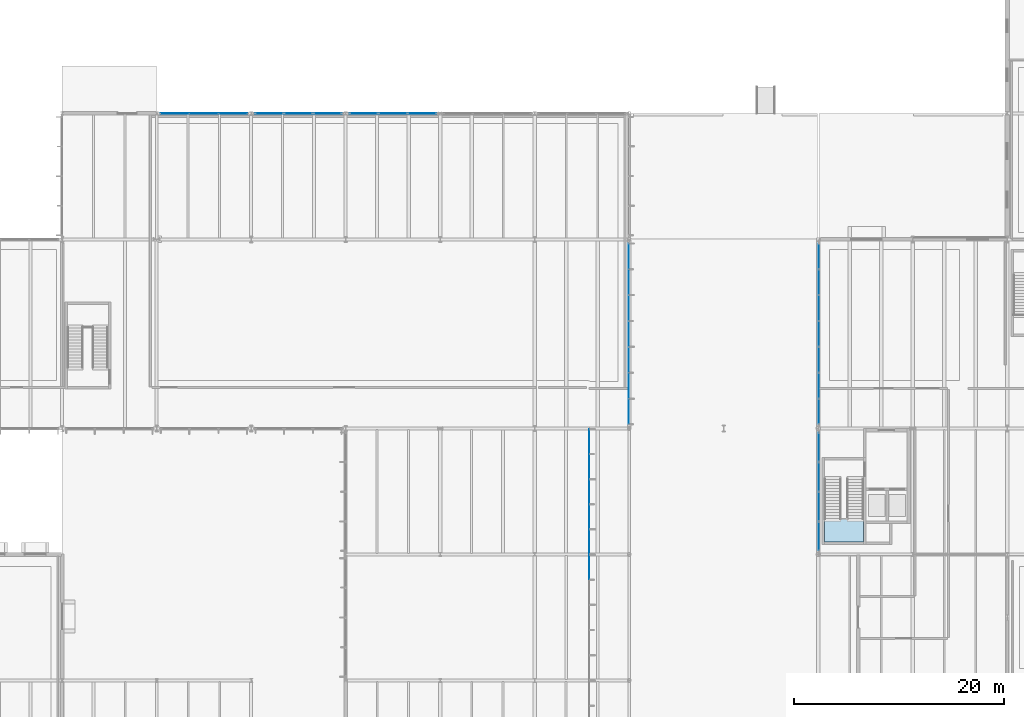
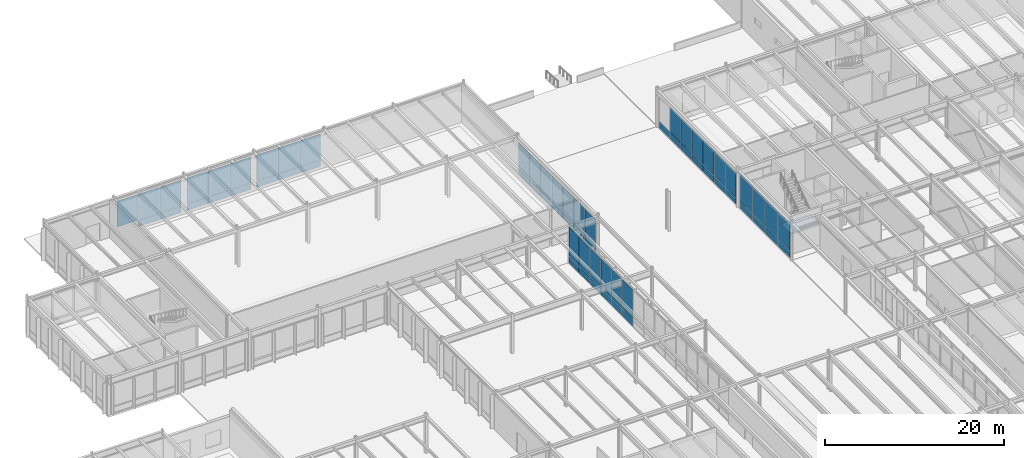
# One storey, part 108 of 143: 64 plates, 1 slab, 9 elements without a shape of their own.
"""IFC4 building model written with IfcOpenShell, lengths in metres."""

from ifc_helpers import new_model, si_unit, direction, frame, origin, origin_2d, place, context, subcontext, project, spatial, polyline, rectangle, outline, extrude, material, layer, layer_set, type_object, element, aggregate, save


model = new_model("IFC4")

# Units and contexts
model_context = context("Model", 3, precision=1e-05, world=origin(), true_north=direction((0.0, 1.0)))
body_context = subcontext(model_context, "Body", "Model", "MODEL_VIEW")
ifc_project = project(units=[si_unit("LENGTHUNIT", "METRE"), si_unit("AREAUNIT", "SQUARE_METRE"), si_unit("VOLUMEUNIT", "CUBIC_METRE"), si_unit("PLANEANGLEUNIT", "RADIAN"), si_unit("MASSUNIT", "GRAM", prefix="KILO")], contexts=[model_context])

# Site, building, storey
site_placement = place(None, origin())
site = spatial("IfcSite", under=ifc_project, at=site_placement, CompositionType="ELEMENT")
building_placement = place(site_placement, origin())
building = spatial("IfcBuilding", under=site, at=building_placement, Name="Montelvaro Courts of Justice", CompositionType="ELEMENT")
storey_placement = place(building_placement, origin())
storey = spatial("IfcBuildingStorey", under=building, at=storey_placement, Name="L00", CompositionType="ELEMENT", Elevation=0.0)

# Curtain wall, plates
ifc_material_1 = material(Name="Anodised aluminium EN AW-6063", Category="aluminium")
ifc_layer_1 = layer(ifc_material_1, 0.159912109375)
ifc_layer_set_1 = layer_set([ifc_layer_1], Name="Anodised aluminium EN AW-6063")
curtain_wall_type_1 = type_object("IfcCurtainWallType", Name="CurtainWall_02_1727x508", PredefinedType="USERDEFINED", material=ifc_layer_set_1)
curtain_wall_1_placement = place(storey_placement, origin())
curtain_wall_1 = element("IfcCurtainWall", 1, at=curtain_wall_1_placement, inside=storey, type_object=curtain_wall_type_1, Name="Curtain Wall CW-02 (L00)", ObjectType="CURTAIN WALL", PredefinedType="USERDEFINED")
ifc_material_2 = material(Name="Low-E solar control double glazing", Category="glass")
ifc_layer_2 = layer(ifc_material_2, 0.028076171875)
ifc_layer_set_2 = layer_set([ifc_layer_2], Name="Low-E solar control double glazing")
plate_type = type_object("IfcPlateType", Name="CurtainWall_Glazed_Panel_28", PredefinedType="CURTAIN_PANEL", material=ifc_layer_set_2)
plate_1_placement = place(storey_placement, frame((80.949951171875, 79.613525390625, 0.06005859375), z_axis=(0.0, 0.0, 1.0), x_axis=(0.0, 1.0, 0.0)))
plate_1 = element("IfcPlate", 2, at=plate_1_placement, type_object=plate_type, Name="CW-02 panel 1.1", PredefinedType="CURTAIN_PANEL", context=body_context, shape_type="SweptSolid", body=[
    extrude(rectangle(XDim=2.377197265625, YDim=0.028076171875, at=origin_2d()), origin(), (0.0, 0.0, 1.0), 0.860107421875),
])
plate_2_placement = place(storey_placement, frame((80.949951171875, 79.613525390625, 0.97998046875), z_axis=(0.0, 0.0, 1.0), x_axis=(0.0, 1.0, 0.0)))
plate_2 = element("IfcPlate", 3, at=plate_2_placement, type_object=plate_type, Name="CW-02 panel 1.2", PredefinedType="CURTAIN_PANEL", context=body_context, shape_type="SweptSolid", body=[
    extrude(rectangle(XDim=2.377197265625, YDim=0.028076171875, at=origin_2d()), origin(), (0.0, 0.0, 1.0), 3.385009765625),
])
plate_3_placement = place(storey_placement, frame((80.949951171875, 82.065673828125, 0.06005859375), z_axis=(0.0, 0.0, 1.0), x_axis=(0.0, 1.0, 0.0)))
plate_3 = element("IfcPlate", 4, at=plate_3_placement, type_object=plate_type, Name="CW-02 panel 2.1", PredefinedType="CURTAIN_PANEL", context=body_context, shape_type="SweptSolid", body=[
    extrude(rectangle(XDim=2.4072265625, YDim=0.028076171875, at=origin_2d()), origin(), (0.0, 0.0, 1.0), 0.860107421875),
])
plate_4_placement = place(storey_placement, frame((80.949951171875, 82.065673828125, 0.97998046875), z_axis=(0.0, 0.0, 1.0), x_axis=(0.0, 1.0, 0.0)))
plate_4 = element("IfcPlate", 5, at=plate_4_placement, type_object=plate_type, Name="CW-02 panel 2.2", PredefinedType="CURTAIN_PANEL", context=body_context, shape_type="SweptSolid", body=[
    extrude(rectangle(XDim=2.4072265625, YDim=0.028076171875, at=origin_2d()), origin(), (0.0, 0.0, 1.0), 3.385009765625),
])
plate_5_placement = place(storey_placement, frame((80.949951171875, 84.532958984375, 0.06005859375), z_axis=(0.0, 0.0, 1.0), x_axis=(0.0, 1.0, 0.0)))
plate_5 = element("IfcPlate", 6, at=plate_5_placement, type_object=plate_type, Name="CW-02 panel 3.1", PredefinedType="CURTAIN_PANEL", context=body_context, shape_type="SweptSolid", body=[
    extrude(rectangle(XDim=2.4072265625, YDim=0.028076171875, at=origin_2d()), origin(), (0.0, 0.0, 1.0), 0.860107421875),
])
plate_6_placement = place(storey_placement, frame((80.949951171875, 84.532958984375, 0.97998046875), z_axis=(0.0, 0.0, 1.0), x_axis=(0.0, 1.0, 0.0)))
plate_6 = element("IfcPlate", 7, at=plate_6_placement, type_object=plate_type, Name="CW-02 panel 3.2", PredefinedType="CURTAIN_PANEL", context=body_context, shape_type="SweptSolid", body=[
    extrude(rectangle(XDim=2.4072265625, YDim=0.028076171875, at=origin_2d()), origin(), (0.0, 0.0, 1.0), 3.385009765625),
])
plate_7_placement = place(storey_placement, frame((80.949951171875, 87.0, 0.06005859375), z_axis=(0.0, 0.0, 1.0), x_axis=(0.0, 1.0, 0.0)))
plate_7 = element("IfcPlate", 8, at=plate_7_placement, type_object=plate_type, Name="CW-02 panel 4.1", PredefinedType="CURTAIN_PANEL", context=body_context, shape_type="SweptSolid", body=[
    extrude(rectangle(XDim=2.4072265625, YDim=0.028076171875, at=origin_2d()), origin(), (0.0, 0.0, 1.0), 0.860107421875),
])
plate_8_placement = place(storey_placement, frame((80.949951171875, 87.0, 0.97998046875), z_axis=(0.0, 0.0, 1.0), x_axis=(0.0, 1.0, 0.0)))
plate_8 = element("IfcPlate", 9, at=plate_8_placement, type_object=plate_type, Name="CW-02 panel 4.2", PredefinedType="CURTAIN_PANEL", context=body_context, shape_type="SweptSolid", body=[
    extrude(rectangle(XDim=2.4072265625, YDim=0.028076171875, at=origin_2d()), origin(), (0.0, 0.0, 1.0), 3.385009765625),
])
plate_9_placement = place(storey_placement, frame((80.949951171875, 89.467041015625, 0.06005859375), z_axis=(0.0, 0.0, 1.0), x_axis=(0.0, 1.0, 0.0)))
plate_9 = element("IfcPlate", 10, at=plate_9_placement, type_object=plate_type, Name="CW-02 panel 5.1", PredefinedType="CURTAIN_PANEL", context=body_context, shape_type="SweptSolid", body=[
    extrude(rectangle(XDim=2.4072265625, YDim=0.028076171875, at=origin_2d()), origin(), (0.0, 0.0, 1.0), 0.860107421875),
])
plate_10_placement = place(storey_placement, frame((80.949951171875, 89.467041015625, 0.97998046875), z_axis=(0.0, 0.0, 1.0), x_axis=(0.0, 1.0, 0.0)))
plate_10 = element("IfcPlate", 11, at=plate_10_placement, type_object=plate_type, Name="CW-02 panel 5.2", PredefinedType="CURTAIN_PANEL", context=body_context, shape_type="SweptSolid", body=[
    extrude(rectangle(XDim=2.4072265625, YDim=0.028076171875, at=origin_2d()), origin(), (0.0, 0.0, 1.0), 3.385009765625),
])
plate_11_placement = place(storey_placement, frame((80.949951171875, 91.934326171875, 0.06005859375), z_axis=(0.0, 0.0, 1.0), x_axis=(0.0, 1.0, 0.0)))
plate_11 = element("IfcPlate", 12, at=plate_11_placement, type_object=plate_type, Name="CW-02 panel 6.1", PredefinedType="CURTAIN_PANEL", context=body_context, shape_type="SweptSolid", body=[
    extrude(rectangle(XDim=2.4072265625, YDim=0.028076171875, at=origin_2d()), origin(), (0.0, 0.0, 1.0), 0.860107421875),
])
plate_12_placement = place(storey_placement, frame((80.949951171875, 91.934326171875, 0.97998046875), z_axis=(0.0, 0.0, 1.0), x_axis=(0.0, 1.0, 0.0)))
plate_12 = element("IfcPlate", 13, at=plate_12_placement, type_object=plate_type, Name="CW-02 panel 6.2", PredefinedType="CURTAIN_PANEL", context=body_context, shape_type="SweptSolid", body=[
    extrude(rectangle(XDim=2.4072265625, YDim=0.028076171875, at=origin_2d()), origin(), (0.0, 0.0, 1.0), 3.385009765625),
])
plate_13_placement = place(storey_placement, frame((80.949951171875, 94.386474609375, 0.06005859375), z_axis=(0.0, 0.0, 1.0), x_axis=(0.0, 1.0, 0.0)))
plate_13 = element("IfcPlate", 14, at=plate_13_placement, type_object=plate_type, Name="CW-02 panel 7.1", PredefinedType="CURTAIN_PANEL", context=body_context, shape_type="SweptSolid", body=[
    extrude(rectangle(XDim=2.377197265625, YDim=0.028076171875, at=origin_2d()), origin(), (0.0, 0.0, 1.0), 0.860107421875),
])
plate_14_placement = place(storey_placement, frame((80.949951171875, 94.386474609375, 0.97998046875), z_axis=(0.0, 0.0, 1.0), x_axis=(0.0, 1.0, 0.0)))
plate_14 = element("IfcPlate", 15, at=plate_14_placement, type_object=plate_type, Name="CW-02 panel 7.2", PredefinedType="CURTAIN_PANEL", context=body_context, shape_type="SweptSolid", body=[
    extrude(rectangle(XDim=2.377197265625, YDim=0.028076171875, at=origin_2d()), origin(), (0.0, 0.0, 1.0), 3.385009765625),
])
aggregate(curtain_wall_1, [plate_1, plate_2, plate_3, plate_4, plate_5, plate_6, plate_7, plate_8, plate_9, plate_10, plate_11, plate_12, plate_13, plate_14])

ifc_layer_3 = layer(ifc_material_1, 0.159912109375)
ifc_layer_set_3 = layer_set([ifc_layer_3], Name="Anodised aluminium EN AW-6063")
curtain_wall_type_2 = type_object("IfcCurtainWallType", Name="CurtainWall_05_837x508", PredefinedType="USERDEFINED", material=ifc_layer_set_3)
curtain_wall_2_placement = place(storey_placement, origin())
curtain_wall_2 = element("IfcCurtainWall", 16, at=curtain_wall_2_placement, inside=storey, type_object=curtain_wall_type_2, Name="Curtain Wall CW-05 (L00)", ObjectType="CURTAIN WALL", PredefinedType="USERDEFINED")
plate_15_placement = place(storey_placement, frame((61.271240234375, 108.0, 0.06005859375), z_axis=(0.0, 0.0, 1.0), x_axis=(-1.0, 0.0, 0.0)))
plate_15 = element("IfcPlate", 17, at=plate_15_placement, type_object=plate_type, Name="CW-05 panel 1.1", PredefinedType="CURTAIN_PANEL", context=body_context, shape_type="SweptSolid", body=[
    extrude(rectangle(XDim=2.677490234375, YDim=0.028076171875, at=origin_2d()), origin(), (0.0, 0.0, 1.0), 0.860107421875),
])
plate_16_placement = place(storey_placement, frame((61.271240234375, 108.0, 0.97998046875), z_axis=(0.0, 0.0, 1.0), x_axis=(-1.0, 0.0, 0.0)))
plate_16 = element("IfcPlate", 18, at=plate_16_placement, type_object=plate_type, Name="CW-05 panel 1.2", PredefinedType="CURTAIN_PANEL", context=body_context, shape_type="SweptSolid", body=[
    extrude(rectangle(XDim=2.677490234375, YDim=0.028076171875, at=origin_2d()), origin(), (0.0, 0.0, 1.0), 3.4951171875),
])
plate_17_placement = place(storey_placement, frame((58.5, 108.0, 0.06005859375), z_axis=(0.0, 0.0, 1.0), x_axis=(-1.0, 0.0, 0.0)))
plate_17 = element("IfcPlate", 19, at=plate_17_placement, type_object=plate_type, Name="CW-05 panel 2.1", PredefinedType="CURTAIN_PANEL", context=body_context, shape_type="SweptSolid", body=[
    extrude(rectangle(XDim=2.715087890625, YDim=0.028076171875, at=origin_2d()), origin(), (0.0, 0.0, 1.0), 0.860107421875),
])
plate_18_placement = place(storey_placement, frame((58.5, 108.0, 0.97998046875), z_axis=(0.0, 0.0, 1.0), x_axis=(-1.0, 0.0, 0.0)))
plate_18 = element("IfcPlate", 20, at=plate_18_placement, type_object=plate_type, Name="CW-05 panel 2.2", PredefinedType="CURTAIN_PANEL", context=body_context, shape_type="SweptSolid", body=[
    extrude(rectangle(XDim=2.715087890625, YDim=0.028076171875, at=origin_2d()), origin(), (0.0, 0.0, 1.0), 3.4951171875),
])
plate_19_placement = place(storey_placement, frame((55.728759765625, 108.0, 0.06005859375), z_axis=(0.0, 0.0, 1.0), x_axis=(-1.0, 0.0, 0.0)))
plate_19 = element("IfcPlate", 21, at=plate_19_placement, type_object=plate_type, Name="CW-05 panel 3.1", PredefinedType="CURTAIN_PANEL", context=body_context, shape_type="SweptSolid", body=[
    extrude(rectangle(XDim=2.677490234375, YDim=0.028076171875, at=origin_2d()), origin(), (0.0, 0.0, 1.0), 0.860107421875),
])
plate_20_placement = place(storey_placement, frame((55.728759765625, 108.0, 0.97998046875), z_axis=(0.0, 0.0, 1.0), x_axis=(-1.0, 0.0, 0.0)))
plate_20 = element("IfcPlate", 22, at=plate_20_placement, type_object=plate_type, Name="CW-05 panel 3.2", PredefinedType="CURTAIN_PANEL", context=body_context, shape_type="SweptSolid", body=[
    extrude(rectangle(XDim=2.677490234375, YDim=0.028076171875, at=origin_2d()), origin(), (0.0, 0.0, 1.0), 3.4951171875),
])
aggregate(curtain_wall_2, [plate_15, plate_16, plate_17, plate_18, plate_19, plate_20])

curtain_wall_3_placement = place(storey_placement, origin())
curtain_wall_3 = element("IfcCurtainWall", 23, at=curtain_wall_3_placement, inside=storey, type_object=curtain_wall_type_2, Name="Curtain Wall CW-05 (L00)", ObjectType="CURTAIN WALL", PredefinedType="USERDEFINED")
plate_21_placement = place(storey_placement, frame((52.271240234375, 108.0, 0.06005859375), z_axis=(0.0, 0.0, 1.0), x_axis=(-1.0, 0.0, 0.0)))
plate_21 = element("IfcPlate", 24, at=plate_21_placement, type_object=plate_type, Name="CW-05 panel 1.1", PredefinedType="CURTAIN_PANEL", context=body_context, shape_type="SweptSolid", body=[
    extrude(rectangle(XDim=2.677490234375, YDim=0.028076171875, at=origin_2d()), origin(), (0.0, 0.0, 1.0), 0.860107421875),
])
plate_22_placement = place(storey_placement, frame((52.271240234375, 108.0, 0.97998046875), z_axis=(0.0, 0.0, 1.0), x_axis=(-1.0, 0.0, 0.0)))
plate_22 = element("IfcPlate", 25, at=plate_22_placement, type_object=plate_type, Name="CW-05 panel 1.2", PredefinedType="CURTAIN_PANEL", context=body_context, shape_type="SweptSolid", body=[
    extrude(rectangle(XDim=2.677490234375, YDim=0.028076171875, at=origin_2d()), origin(), (0.0, 0.0, 1.0), 3.4951171875),
])
plate_23_placement = place(storey_placement, frame((49.5, 108.0, 0.06005859375), z_axis=(0.0, 0.0, 1.0), x_axis=(-1.0, 0.0, 0.0)))
plate_23 = element("IfcPlate", 26, at=plate_23_placement, type_object=plate_type, Name="CW-05 panel 2.1", PredefinedType="CURTAIN_PANEL", context=body_context, shape_type="SweptSolid", body=[
    extrude(rectangle(XDim=2.715087890625, YDim=0.028076171875, at=origin_2d()), origin(), (0.0, 0.0, 1.0), 0.860107421875),
])
plate_24_placement = place(storey_placement, frame((49.5, 108.0, 0.97998046875), z_axis=(0.0, 0.0, 1.0), x_axis=(-1.0, 0.0, 0.0)))
plate_24 = element("IfcPlate", 27, at=plate_24_placement, type_object=plate_type, Name="CW-05 panel 2.2", PredefinedType="CURTAIN_PANEL", context=body_context, shape_type="SweptSolid", body=[
    extrude(rectangle(XDim=2.715087890625, YDim=0.028076171875, at=origin_2d()), origin(), (0.0, 0.0, 1.0), 3.4951171875),
])
plate_25_placement = place(storey_placement, frame((46.728759765625, 108.0, 0.06005859375), z_axis=(0.0, 0.0, 1.0), x_axis=(-1.0, 0.0, 0.0)))
plate_25 = element("IfcPlate", 28, at=plate_25_placement, type_object=plate_type, Name="CW-05 panel 3.1", PredefinedType="CURTAIN_PANEL", context=body_context, shape_type="SweptSolid", body=[
    extrude(rectangle(XDim=2.677490234375, YDim=0.028076171875, at=origin_2d()), origin(), (0.0, 0.0, 1.0), 0.860107421875),
])
plate_26_placement = place(storey_placement, frame((46.728759765625, 108.0, 0.97998046875), z_axis=(0.0, 0.0, 1.0), x_axis=(-1.0, 0.0, 0.0)))
plate_26 = element("IfcPlate", 29, at=plate_26_placement, type_object=plate_type, Name="CW-05 panel 3.2", PredefinedType="CURTAIN_PANEL", context=body_context, shape_type="SweptSolid", body=[
    extrude(rectangle(XDim=2.677490234375, YDim=0.028076171875, at=origin_2d()), origin(), (0.0, 0.0, 1.0), 3.4951171875),
])
aggregate(curtain_wall_3, [plate_21, plate_22, plate_23, plate_24, plate_25, plate_26])

curtain_wall_4_placement = place(storey_placement, origin())
curtain_wall_4 = element("IfcCurtainWall", 30, at=curtain_wall_4_placement, inside=storey, type_object=curtain_wall_type_2, Name="Curtain Wall CW-05 (L00)", ObjectType="CURTAIN WALL", PredefinedType="USERDEFINED")
plate_27_placement = place(storey_placement, frame((43.27490234375, 108.0, 0.06005859375), z_axis=(0.0, 0.0, 1.0), x_axis=(-1.0, 0.0, 0.0)))
plate_27 = element("IfcPlate", 31, at=plate_27_placement, type_object=plate_type, Name="CW-05 panel 1.1", PredefinedType="CURTAIN_PANEL", context=body_context, shape_type="SweptSolid", body=[
    extrude(rectangle(XDim=2.699951171875, YDim=0.028076171875, at=origin_2d()), origin(), (0.0, 0.0, 1.0), 0.860107421875),
])
plate_28_placement = place(storey_placement, frame((43.27490234375, 108.0, 0.97998046875), z_axis=(0.0, 0.0, 1.0), x_axis=(-1.0, 0.0, 0.0)))
plate_28 = element("IfcPlate", 32, at=plate_28_placement, type_object=plate_type, Name="CW-05 panel 1.2", PredefinedType="CURTAIN_PANEL", context=body_context, shape_type="SweptSolid", body=[
    extrude(rectangle(XDim=2.699951171875, YDim=0.028076171875, at=origin_2d()), origin(), (0.0, 0.0, 1.0), 3.4951171875),
])
plate_29_placement = place(storey_placement, frame((40.5, 108.0, 0.06005859375), z_axis=(0.0, 0.0, 1.0), x_axis=(-1.0, 0.0, 0.0)))
plate_29 = element("IfcPlate", 33, at=plate_29_placement, type_object=plate_type, Name="CW-05 panel 2.1", PredefinedType="CURTAIN_PANEL", context=body_context, shape_type="SweptSolid", body=[
    extrude(rectangle(XDim=2.72998046875, YDim=0.028076171875, at=origin_2d()), origin(), (0.0, 0.0, 1.0), 0.860107421875),
])
plate_30_placement = place(storey_placement, frame((40.5, 108.0, 0.97998046875), z_axis=(0.0, 0.0, 1.0), x_axis=(-1.0, 0.0, 0.0)))
plate_30 = element("IfcPlate", 34, at=plate_30_placement, type_object=plate_type, Name="CW-05 panel 2.2", PredefinedType="CURTAIN_PANEL", context=body_context, shape_type="SweptSolid", body=[
    extrude(rectangle(XDim=2.72998046875, YDim=0.028076171875, at=origin_2d()), origin(), (0.0, 0.0, 1.0), 3.4951171875),
])
plate_31_placement = place(storey_placement, frame((37.72509765625, 108.0, 0.97998046875), z_axis=(0.0, 0.0, 1.0), x_axis=(-1.0, 0.0, 0.0)))
plate_31 = element("IfcPlate", 35, at=plate_31_placement, type_object=plate_type, Name="CW-05 panel 3.2", PredefinedType="CURTAIN_PANEL", context=body_context, shape_type="SweptSolid", body=[
    extrude(rectangle(XDim=2.699951171875, YDim=0.028076171875, at=origin_2d()), origin(), (0.0, 0.0, 1.0), 3.4951171875),
])
aggregate(curtain_wall_4, [plate_27, plate_28, plate_29, plate_30, plate_31])

curtain_wall_5_placement = place(storey_placement, origin())
curtain_wall_5 = element("IfcCurtainWall", 36, at=curtain_wall_5_placement, inside=storey, type_object=curtain_wall_type_1, Name="Curtain Wall CW-02 (L00)", ObjectType="CURTAIN WALL", PredefinedType="USERDEFINED")
plate_32_placement = place(storey_placement, frame((99.050048828125, 94.386474609375, 0.06005859375), z_axis=(0.0, 0.0, 1.0), x_axis=(0.0, -1.0, 0.0)))
plate_32 = element("IfcPlate", 37, at=plate_32_placement, type_object=plate_type, Name="CW-02 panel 1.1", PredefinedType="CURTAIN_PANEL", context=body_context, shape_type="SweptSolid", body=[
    extrude(rectangle(XDim=2.377197265625, YDim=0.028076171875, at=origin_2d()), origin(), (0.0, 0.0, 1.0), 0.860107421875),
])
plate_33_placement = place(storey_placement, frame((99.050048828125, 91.934326171875, 0.06005859375), z_axis=(0.0, 0.0, 1.0), x_axis=(0.0, -1.0, 0.0)))
plate_33 = element("IfcPlate", 38, at=plate_33_placement, type_object=plate_type, Name="CW-02 panel 2.1", PredefinedType="CURTAIN_PANEL", context=body_context, shape_type="SweptSolid", body=[
    extrude(rectangle(XDim=2.4072265625, YDim=0.028076171875, at=origin_2d()), origin(), (0.0, 0.0, 1.0), 0.860107421875),
])
plate_34_placement = place(storey_placement, frame((99.050048828125, 91.934326171875, 0.97998046875), z_axis=(0.0, 0.0, 1.0), x_axis=(0.0, -1.0, 0.0)))
plate_34 = element("IfcPlate", 39, at=plate_34_placement, type_object=plate_type, Name="CW-02 panel 2.2", PredefinedType="CURTAIN_PANEL", context=body_context, shape_type="SweptSolid", body=[
    extrude(rectangle(XDim=2.4072265625, YDim=0.028076171875, at=origin_2d()), origin(), (0.0, 0.0, 1.0), 3.364990234375),
])
plate_35_placement = place(storey_placement, frame((99.050048828125, 89.467041015625, 0.06005859375), z_axis=(0.0, 0.0, 1.0), x_axis=(0.0, -1.0, 0.0)))
plate_35 = element("IfcPlate", 40, at=plate_35_placement, type_object=plate_type, Name="CW-02 panel 3.1", PredefinedType="CURTAIN_PANEL", context=body_context, shape_type="SweptSolid", body=[
    extrude(rectangle(XDim=2.4072265625, YDim=0.028076171875, at=origin_2d()), origin(), (0.0, 0.0, 1.0), 0.860107421875),
])
plate_36_placement = place(storey_placement, frame((99.050048828125, 89.467041015625, 0.97998046875), z_axis=(0.0, 0.0, 1.0), x_axis=(0.0, -1.0, 0.0)))
plate_36 = element("IfcPlate", 41, at=plate_36_placement, type_object=plate_type, Name="CW-02 panel 3.2", PredefinedType="CURTAIN_PANEL", context=body_context, shape_type="SweptSolid", body=[
    extrude(rectangle(XDim=2.4072265625, YDim=0.028076171875, at=origin_2d()), origin(), (0.0, 0.0, 1.0), 3.364990234375),
])
plate_37_placement = place(storey_placement, frame((99.050048828125, 87.0, 0.06005859375), z_axis=(0.0, 0.0, 1.0), x_axis=(0.0, -1.0, 0.0)))
plate_37 = element("IfcPlate", 42, at=plate_37_placement, type_object=plate_type, Name="CW-02 panel 4.1", PredefinedType="CURTAIN_PANEL", context=body_context, shape_type="SweptSolid", body=[
    extrude(rectangle(XDim=2.4072265625, YDim=0.028076171875, at=origin_2d()), origin(), (0.0, 0.0, 1.0), 0.860107421875),
])
plate_38_placement = place(storey_placement, frame((99.050048828125, 87.0, 0.97998046875), z_axis=(0.0, 0.0, 1.0), x_axis=(0.0, -1.0, 0.0)))
plate_38 = element("IfcPlate", 43, at=plate_38_placement, type_object=plate_type, Name="CW-02 panel 4.2", PredefinedType="CURTAIN_PANEL", context=body_context, shape_type="SweptSolid", body=[
    extrude(rectangle(XDim=2.4072265625, YDim=0.028076171875, at=origin_2d()), origin(), (0.0, 0.0, 1.0), 3.364990234375),
])
plate_39_placement = place(storey_placement, frame((99.050048828125, 84.532958984375, 0.06005859375), z_axis=(0.0, 0.0, 1.0), x_axis=(0.0, -1.0, 0.0)))
plate_39 = element("IfcPlate", 44, at=plate_39_placement, type_object=plate_type, Name="CW-02 panel 5.1", PredefinedType="CURTAIN_PANEL", context=body_context, shape_type="SweptSolid", body=[
    extrude(rectangle(XDim=2.4072265625, YDim=0.028076171875, at=origin_2d()), origin(), (0.0, 0.0, 1.0), 0.860107421875),
])
plate_40_placement = place(storey_placement, frame((99.050048828125, 84.532958984375, 0.97998046875), z_axis=(0.0, 0.0, 1.0), x_axis=(0.0, -1.0, 0.0)))
plate_40 = element("IfcPlate", 45, at=plate_40_placement, type_object=plate_type, Name="CW-02 panel 5.2", PredefinedType="CURTAIN_PANEL", context=body_context, shape_type="SweptSolid", body=[
    extrude(rectangle(XDim=2.4072265625, YDim=0.028076171875, at=origin_2d()), origin(), (0.0, 0.0, 1.0), 3.364990234375),
])
plate_41_placement = place(storey_placement, frame((99.050048828125, 82.065673828125, 0.06005859375), z_axis=(0.0, 0.0, 1.0), x_axis=(0.0, -1.0, 0.0)))
plate_41 = element("IfcPlate", 46, at=plate_41_placement, type_object=plate_type, Name="CW-02 panel 6.1", PredefinedType="CURTAIN_PANEL", context=body_context, shape_type="SweptSolid", body=[
    extrude(rectangle(XDim=2.4072265625, YDim=0.028076171875, at=origin_2d()), origin(), (0.0, 0.0, 1.0), 0.860107421875),
])
plate_42_placement = place(storey_placement, frame((99.050048828125, 82.065673828125, 0.97998046875), z_axis=(0.0, 0.0, 1.0), x_axis=(0.0, -1.0, 0.0)))
plate_42 = element("IfcPlate", 47, at=plate_42_placement, type_object=plate_type, Name="CW-02 panel 6.2", PredefinedType="CURTAIN_PANEL", context=body_context, shape_type="SweptSolid", body=[
    extrude(rectangle(XDim=2.4072265625, YDim=0.028076171875, at=origin_2d()), origin(), (0.0, 0.0, 1.0), 3.364990234375),
])
plate_43_placement = place(storey_placement, frame((99.050048828125, 79.613525390625, 0.06005859375), z_axis=(0.0, 0.0, 1.0), x_axis=(0.0, -1.0, 0.0)))
plate_43 = element("IfcPlate", 48, at=plate_43_placement, type_object=plate_type, Name="CW-02 panel 7.1", PredefinedType="CURTAIN_PANEL", context=body_context, shape_type="SweptSolid", body=[
    extrude(rectangle(XDim=2.377197265625, YDim=0.028076171875, at=origin_2d()), origin(), (0.0, 0.0, 1.0), 0.860107421875),
])
plate_44_placement = place(storey_placement, frame((99.050048828125, 79.613525390625, 0.97998046875), z_axis=(0.0, 0.0, 1.0), x_axis=(0.0, -1.0, 0.0)))
plate_44 = element("IfcPlate", 49, at=plate_44_placement, type_object=plate_type, Name="CW-02 panel 7.2", PredefinedType="CURTAIN_PANEL", context=body_context, shape_type="SweptSolid", body=[
    extrude(rectangle(XDim=2.377197265625, YDim=0.028076171875, at=origin_2d()), origin(), (0.0, 0.0, 1.0), 3.364990234375),
])
aggregate(curtain_wall_5, [plate_32, plate_33, plate_34, plate_35, plate_36, plate_37, plate_38, plate_39, plate_40, plate_41, plate_42, plate_43, plate_44])

ifc_layer_4 = layer(ifc_material_1, 0.159912109375)
ifc_layer_set_4 = layer_set([ifc_layer_4], Name="Anodised aluminium EN AW-6063")
curtain_wall_type_3 = type_object("IfcCurtainWallType", Name="CurtainWall_03_1132x508", PredefinedType="USERDEFINED", material=ifc_layer_set_4)
curtain_wall_6_placement = place(storey_placement, origin())
curtain_wall_6 = element("IfcCurtainWall", 50, at=curtain_wall_6_placement, inside=storey, type_object=curtain_wall_type_3, Name="Curtain Wall CW-03 (L00)", ObjectType="CURTAIN WALL", PredefinedType="USERDEFINED")
plate_45_placement = place(storey_placement, frame((99.050048828125, 76.203857421875, 0.06005859375), z_axis=(0.0, 0.0, 1.0), x_axis=(0.0, -1.0, 0.0)))
plate_45 = element("IfcPlate", 51, at=plate_45_placement, type_object=plate_type, Name="CW-03 panel 1.1", PredefinedType="CURTAIN_PANEL", context=body_context, shape_type="SweptSolid", body=[
    extrude(rectangle(XDim=2.732421875, YDim=0.028076171875, at=origin_2d()), origin(), (0.0, 0.0, 1.0), 0.860107421875),
])
plate_46_placement = place(storey_placement, frame((99.050048828125, 76.203857421875, 0.97998046875), z_axis=(0.0, 0.0, 1.0), x_axis=(0.0, -1.0, 0.0)))
plate_46 = element("IfcPlate", 52, at=plate_46_placement, type_object=plate_type, Name="CW-03 panel 1.2", PredefinedType="CURTAIN_PANEL", context=body_context, shape_type="SweptSolid", body=[
    extrude(rectangle(XDim=2.732421875, YDim=0.028076171875, at=origin_2d()), origin(), (0.0, 0.0, 1.0), 3.705078125),
])
plate_47_placement = place(storey_placement, frame((99.050048828125, 73.389892578125, 0.06005859375), z_axis=(0.0, 0.0, 1.0), x_axis=(0.0, -1.0, 0.0)))
plate_47 = element("IfcPlate", 53, at=plate_47_placement, type_object=plate_type, Name="CW-03 panel 2.1", PredefinedType="CURTAIN_PANEL", context=body_context, shape_type="SweptSolid", body=[
    extrude(rectangle(XDim=2.764892578125, YDim=0.028076171875, at=origin_2d()), origin(), (0.0, 0.0, 1.0), 0.860107421875),
])
plate_48_placement = place(storey_placement, frame((99.050048828125, 73.389892578125, 0.97998046875), z_axis=(0.0, 0.0, 1.0), x_axis=(0.0, -1.0, 0.0)))
plate_48 = element("IfcPlate", 54, at=plate_48_placement, type_object=plate_type, Name="CW-03 panel 2.2", PredefinedType="CURTAIN_PANEL", context=body_context, shape_type="SweptSolid", body=[
    extrude(rectangle(XDim=2.764892578125, YDim=0.028076171875, at=origin_2d()), origin(), (0.0, 0.0, 1.0), 3.705078125),
])
plate_49_placement = place(storey_placement, frame((99.050048828125, 70.56005859375, 0.06005859375), z_axis=(0.0, 0.0, 1.0), x_axis=(0.0, -1.0, 0.0)))
plate_49 = element("IfcPlate", 55, at=plate_49_placement, type_object=plate_type, Name="CW-03 panel 3.1", PredefinedType="CURTAIN_PANEL", context=body_context, shape_type="SweptSolid", body=[
    extrude(rectangle(XDim=2.764892578125, YDim=0.028076171875, at=origin_2d()), origin(), (0.0, 0.0, 1.0), 0.860107421875),
])
plate_50_placement = place(storey_placement, frame((99.050048828125, 70.56005859375, 0.97998046875), z_axis=(0.0, 0.0, 1.0), x_axis=(0.0, -1.0, 0.0)))
plate_50 = element("IfcPlate", 56, at=plate_50_placement, type_object=plate_type, Name="CW-03 panel 3.2", PredefinedType="CURTAIN_PANEL", context=body_context, shape_type="SweptSolid", body=[
    extrude(rectangle(XDim=2.764892578125, YDim=0.028076171875, at=origin_2d()), origin(), (0.0, 0.0, 1.0), 3.705078125),
])
plate_51_placement = place(storey_placement, frame((99.050048828125, 67.746337890625, 0.06005859375), z_axis=(0.0, 0.0, 1.0), x_axis=(0.0, -1.0, 0.0)))
plate_51 = element("IfcPlate", 57, at=plate_51_placement, type_object=plate_type, Name="CW-03 panel 4.1", PredefinedType="CURTAIN_PANEL", context=body_context, shape_type="SweptSolid", body=[
    extrude(rectangle(XDim=2.732421875, YDim=0.028076171875, at=origin_2d()), origin(), (0.0, 0.0, 1.0), 0.860107421875),
])
plate_52_placement = place(storey_placement, frame((99.050048828125, 67.746337890625, 0.97998046875), z_axis=(0.0, 0.0, 1.0), x_axis=(0.0, -1.0, 0.0)))
plate_52 = element("IfcPlate", 58, at=plate_52_placement, type_object=plate_type, Name="CW-03 panel 4.2", PredefinedType="CURTAIN_PANEL", context=body_context, shape_type="SweptSolid", body=[
    extrude(rectangle(XDim=2.732421875, YDim=0.028076171875, at=origin_2d()), origin(), (0.0, 0.0, 1.0), 3.705078125),
])
aggregate(curtain_wall_6, [plate_45, plate_46, plate_47, plate_48, plate_49, plate_50, plate_51, plate_52])

ifc_layer_5 = layer(ifc_material_1, 0.159912109375)
ifc_layer_set_5 = layer_set([ifc_layer_5], Name="Anodised aluminium EN AW-6063")
curtain_wall_type_4 = type_object("IfcCurtainWallType", Name="CurtainWall_06_1200x508", PredefinedType="USERDEFINED", material=ifc_layer_set_5)
curtain_wall_7_placement = place(storey_placement, origin())
curtain_wall_7 = element("IfcCurtainWall", 59, at=curtain_wall_7_placement, inside=storey, type_object=curtain_wall_type_4, Name="Curtain Wall CW-06 (L00)", ObjectType="CURTAIN WALL", PredefinedType="USERDEFINED")
plate_53_placement = place(storey_placement, frame((77.199951171875, 64.784912109375, 0.06005859375), z_axis=(0.0, 0.0, 1.0), x_axis=(0.0, 1.0, 0.0)))
plate_53 = element("IfcPlate", 60, at=plate_53_placement, type_object=plate_type, Name="CW-06 panel 5.1", PredefinedType="CURTAIN_PANEL", context=body_context, shape_type="SweptSolid", body=[
    extrude(rectangle(XDim=2.31005859375, YDim=0.028076171875, at=origin_2d()), origin(), (0.0, 0.0, 1.0), 0.860107421875),
])
plate_54_placement = place(storey_placement, frame((77.199951171875, 64.784912109375, 0.97998046875), z_axis=(0.0, 0.0, 1.0), x_axis=(0.0, 1.0, 0.0)))
plate_54 = element("IfcPlate", 61, at=plate_54_placement, type_object=plate_type, Name="CW-06 panel 5.2", PredefinedType="CURTAIN_PANEL", context=body_context, shape_type="SweptSolid", body=[
    extrude(rectangle(XDim=2.31005859375, YDim=0.028076171875, at=origin_2d()), origin(), (0.0, 0.0, 1.0), 4.0400390625),
])
aggregate(curtain_wall_7, [plate_53, plate_54])

ifc_layer_6 = layer(ifc_material_1, 0.159912109375)
ifc_layer_set_6 = layer_set([ifc_layer_6], Name="Anodised aluminium EN AW-6063")
curtain_wall_type_5 = type_object("IfcCurtainWallType", Name="CurtainWall_07_1196x508", PredefinedType="USERDEFINED", material=ifc_layer_set_6)
curtain_wall_8_placement = place(storey_placement, origin())
curtain_wall_8 = element("IfcCurtainWall", 62, at=curtain_wall_8_placement, inside=storey, type_object=curtain_wall_type_5, Name="Curtain Wall CW-07 (L00)", ObjectType="CURTAIN WALL", PredefinedType="USERDEFINED")
plate_55_placement = place(storey_placement, frame((77.199951171875, 67.2109375, 0.06005859375), z_axis=(0.0, 0.0, 1.0), x_axis=(0.0, 1.0, 0.0)))
plate_55 = element("IfcPlate", 63, at=plate_55_placement, type_object=plate_type, Name="CW-07 panel 1.1", PredefinedType="CURTAIN_PANEL", context=body_context, shape_type="SweptSolid", body=[
    extrude(rectangle(XDim=2.302001953125, YDim=0.028076171875, at=origin_2d()), origin(), (0.0, 0.0, 1.0), 0.860107421875),
])
plate_56_placement = place(storey_placement, frame((77.199951171875, 67.2109375, 0.97998046875), z_axis=(0.0, 0.0, 1.0), x_axis=(0.0, 1.0, 0.0)))
plate_56 = element("IfcPlate", 64, at=plate_56_placement, type_object=plate_type, Name="CW-07 panel 1.2", PredefinedType="CURTAIN_PANEL", context=body_context, shape_type="SweptSolid", body=[
    extrude(rectangle(XDim=2.302001953125, YDim=0.028076171875, at=origin_2d()), origin(), (0.0, 0.0, 1.0), 4.0400390625),
])
plate_57_placement = place(storey_placement, frame((77.199951171875, 69.587890625, 0.06005859375), z_axis=(0.0, 0.0, 1.0), x_axis=(0.0, 1.0, 0.0)))
plate_57 = element("IfcPlate", 65, at=plate_57_placement, type_object=plate_type, Name="CW-07 panel 2.1", PredefinedType="CURTAIN_PANEL", context=body_context, shape_type="SweptSolid", body=[
    extrude(rectangle(XDim=2.33203125, YDim=0.028076171875, at=origin_2d()), origin(), (0.0, 0.0, 1.0), 0.860107421875),
])
plate_58_placement = place(storey_placement, frame((77.199951171875, 69.587890625, 0.97998046875), z_axis=(0.0, 0.0, 1.0), x_axis=(0.0, 1.0, 0.0)))
plate_58 = element("IfcPlate", 66, at=plate_58_placement, type_object=plate_type, Name="CW-07 panel 2.2", PredefinedType="CURTAIN_PANEL", context=body_context, shape_type="SweptSolid", body=[
    extrude(rectangle(XDim=2.33203125, YDim=0.028076171875, at=origin_2d()), origin(), (0.0, 0.0, 1.0), 4.0400390625),
])
plate_59_placement = place(storey_placement, frame((77.199951171875, 71.97998046875, 0.06005859375), z_axis=(0.0, 0.0, 1.0), x_axis=(0.0, 1.0, 0.0)))
plate_59 = element("IfcPlate", 67, at=plate_59_placement, type_object=plate_type, Name="CW-07 panel 3.1", PredefinedType="CURTAIN_PANEL", context=body_context, shape_type="SweptSolid", body=[
    extrude(rectangle(XDim=2.33203125, YDim=0.028076171875, at=origin_2d()), origin(), (0.0, 0.0, 1.0), 0.860107421875),
])
plate_60_placement = place(storey_placement, frame((77.199951171875, 71.97998046875, 0.97998046875), z_axis=(0.0, 0.0, 1.0), x_axis=(0.0, 1.0, 0.0)))
plate_60 = element("IfcPlate", 68, at=plate_60_placement, type_object=plate_type, Name="CW-07 panel 3.2", PredefinedType="CURTAIN_PANEL", context=body_context, shape_type="SweptSolid", body=[
    extrude(rectangle(XDim=2.33203125, YDim=0.028076171875, at=origin_2d()), origin(), (0.0, 0.0, 1.0), 4.0400390625),
])
plate_61_placement = place(storey_placement, frame((77.199951171875, 74.3720703125, 0.06005859375), z_axis=(0.0, 0.0, 1.0), x_axis=(0.0, 1.0, 0.0)))
plate_61 = element("IfcPlate", 69, at=plate_61_placement, type_object=plate_type, Name="CW-07 panel 4.1", PredefinedType="CURTAIN_PANEL", context=body_context, shape_type="SweptSolid", body=[
    extrude(rectangle(XDim=2.33203125, YDim=0.028076171875, at=origin_2d()), origin(), (0.0, 0.0, 1.0), 0.860107421875),
])
plate_62_placement = place(storey_placement, frame((77.199951171875, 74.3720703125, 0.97998046875), z_axis=(0.0, 0.0, 1.0), x_axis=(0.0, 1.0, 0.0)))
plate_62 = element("IfcPlate", 70, at=plate_62_placement, type_object=plate_type, Name="CW-07 panel 4.2", PredefinedType="CURTAIN_PANEL", context=body_context, shape_type="SweptSolid", body=[
    extrude(rectangle(XDim=2.33203125, YDim=0.028076171875, at=origin_2d()), origin(), (0.0, 0.0, 1.0), 4.0400390625),
])
plate_63_placement = place(storey_placement, frame((77.199951171875, 76.7490234375, 0.06005859375), z_axis=(0.0, 0.0, 1.0), x_axis=(0.0, 1.0, 0.0)))
plate_63 = element("IfcPlate", 71, at=plate_63_placement, type_object=plate_type, Name="CW-07 panel 5.1", PredefinedType="CURTAIN_PANEL", context=body_context, shape_type="SweptSolid", body=[
    extrude(rectangle(XDim=2.302001953125, YDim=0.028076171875, at=origin_2d()), origin(), (0.0, 0.0, 1.0), 0.860107421875),
])
plate_64_placement = place(storey_placement, frame((77.199951171875, 76.7490234375, 0.97998046875), z_axis=(0.0, 0.0, 1.0), x_axis=(0.0, 1.0, 0.0)))
plate_64 = element("IfcPlate", 72, at=plate_64_placement, type_object=plate_type, Name="CW-07 panel 5.2", PredefinedType="CURTAIN_PANEL", context=body_context, shape_type="SweptSolid", body=[
    extrude(rectangle(XDim=2.302001953125, YDim=0.028076171875, at=origin_2d()), origin(), (0.0, 0.0, 1.0), 4.0400390625),
])
aggregate(curtain_wall_8, [plate_55, plate_56, plate_57, plate_58, plate_59, plate_60, plate_61, plate_62, plate_63, plate_64])

# Stair, slab
ifc_material_3 = material(Name="Concrete C35/45", Category="concrete")
stair_type = type_object("IfcStairType", Name="ProtectedStair_155", PredefinedType="HALF_TURN_STAIR", material=ifc_material_3)
stair_placement = place(storey_placement, origin())
stair = element("IfcStair", 73, at=stair_placement, inside=storey, type_object=stair_type, Name="Protected Stair ST-K4-L00", PredefinedType="HALF_TURN_STAIR")
ifc_layer_7 = layer(ifc_material_3, 0.199951171875)
ifc_layer_set_7 = layer_set([ifc_layer_7], Name="Concrete C35/45")
slab_type = type_object("IfcSlabType", Name="StairLanding_200", PredefinedType="LANDING", material=ifc_layer_set_7)
slab_placement = place(storey_placement, frame((0.0, 0.0, 2.5)))
slab = element("IfcSlab", 74, at=slab_placement, type_object=slab_type, Name="ST-K4-L00 landing 1", PredefinedType="LANDING", context=body_context, shape_type="SweptSolid", body=[
    extrude(outline(polyline([(99.60009765625, 67.199951171875), (103.300048828125, 67.199951171875), (103.300048828125, 69.364990234375), (99.60009765625, 69.364990234375), (99.60009765625, 67.199951171875)])), origin(), (0.0, 0.0, 1.0), 0.199951171875),
])
aggregate(stair, [slab])

save(model, "model.ifc")
